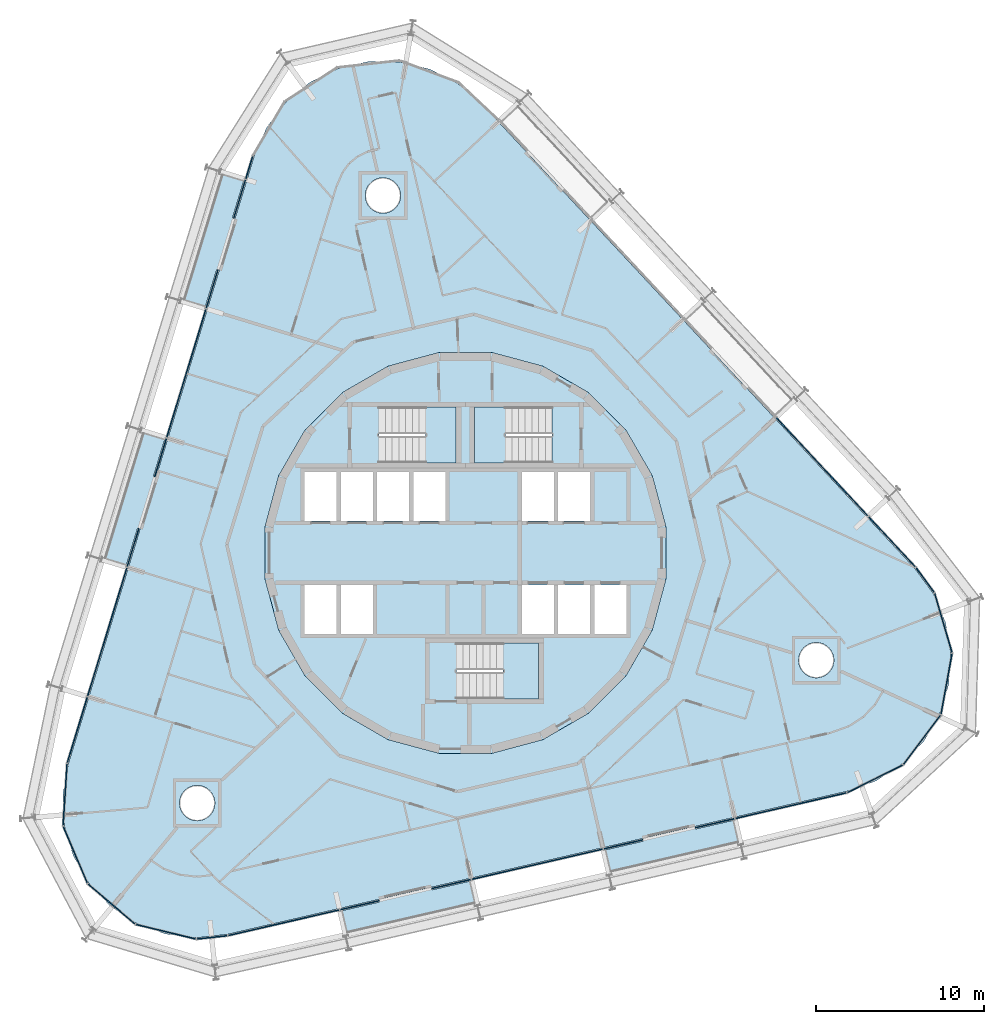
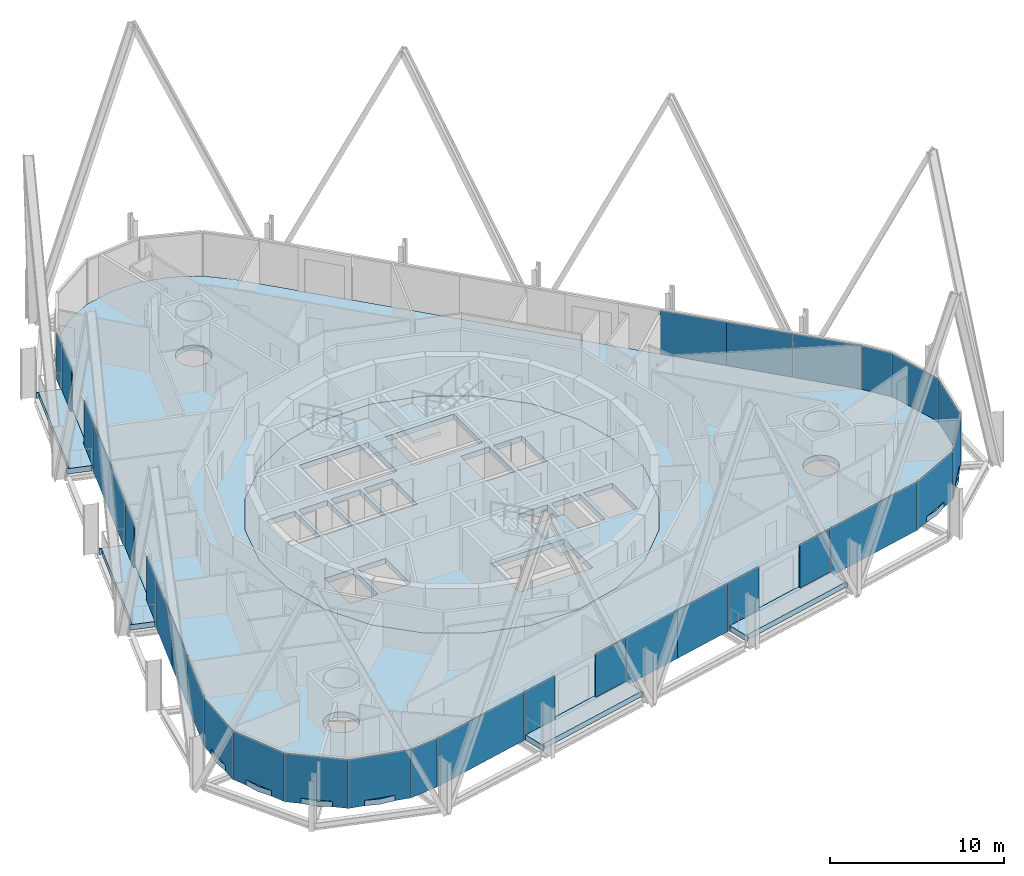
# One storey, part 10 of 18: 31 plates, 9 slabs, 9 elements without a shape of their own.
"""IFC4 building model written with IfcOpenShell, lengths in metres."""

from ifc_helpers import new_model, si_unit, direction, frame, origin, origin_2d, place, context, subcontext, project, spatial, polyline, rectangle, outline, extrude, material, layer, layer_set, type_object, element, aggregate, save


model = new_model("IFC4")

# Units and contexts
model_context = context("Model", 3, precision=1e-05, world=origin(), true_north=direction((0.0, 1.0)))
body_context = subcontext(model_context, "Body", "Model", "MODEL_VIEW")
ifc_project = project(units=[si_unit("LENGTHUNIT", "METRE"), si_unit("AREAUNIT", "SQUARE_METRE"), si_unit("VOLUMEUNIT", "CUBIC_METRE"), si_unit("PLANEANGLEUNIT", "RADIAN"), si_unit("MASSUNIT", "GRAM", prefix="KILO")], contexts=[model_context])

# Site, building, storey
site_placement = place(None, origin())
site = spatial("IfcSite", under=ifc_project, at=site_placement, CompositionType="ELEMENT")
building_placement = place(site_placement, origin())
building = spatial("IfcBuilding", under=site, at=building_placement, Name="Spindle Arch Residences", CompositionType="ELEMENT")
storey_placement = place(building_placement, frame((0.0, 0.0, 127.39990234375)))
storey = spatial("IfcBuildingStorey", under=building, at=storey_placement, Name="L31", CompositionType="ELEMENT", Elevation=127.39990234375)

# Slabs
ifc_material_1 = material(Name="Concrete C40/50", Category="concrete")
ifc_layer_1 = layer(ifc_material_1, 0.3798828125)
ifc_layer_set_1 = layer_set([ifc_layer_1], Name="Balcony slab 380")
slab_type_1 = type_object("IfcSlabType", Name="Balcony slab 380", PredefinedType="FLOOR", material=ifc_layer_set_1)
slab_1_placement = place(storey_placement, frame((0.0, 0.0, -0.3798828125)))
element("IfcSlab", 1, at=slab_1_placement, inside=storey, type_object=slab_type_1, Name="Balcony L31 bay 1", PredefinedType="FLOOR", context=body_context, shape_type="SweptSolid", body=[
    extrude(outline(polyline([(8.60546875, -19.094482421875), (8.678466796875, -19.07763671875), (8.644775390625, -18.931396484375), (16.17578125, -17.19287109375), (16.209716796875, -17.3388671875), (16.28271484375, -17.322021484375), (15.947509765625, -15.870361328125), (13.66796875, -16.396484375), (13.6318359375, -16.24072265625), (10.513916015625, -16.96044921875), (10.5498046875, -17.116455078125), (8.270263671875, -17.642578125), (8.60546875, -19.094482421875)])), origin(), (0.0, 0.0, 1.0), 0.3798828125),
])
slab_2_placement = place(storey_placement, frame((0.0, 0.0, -0.3798828125)))
element("IfcSlab", 2, at=slab_2_placement, inside=storey, type_object=slab_type_1, Name="Balcony L31 bay 13", PredefinedType="FLOOR", context=body_context, shape_type="SweptSolid", body=[
    extrude(outline(polyline([(-14.5791015625, 22.5703125), (-14.60107421875, 22.49853515625), (-14.45751953125, 22.45458984375), (-16.71728515625, 15.063232421875), (-16.86083984375, 15.107177734375), (-16.882568359375, 15.035400390625), (-15.457763671875, 14.599609375), (-14.773681640625, 16.837158203125), (-14.620849609375, 16.790283203125), (-13.68505859375, 19.8505859375), (-13.838134765625, 19.897216796875), (-13.154052734375, 22.134521484375), (-14.5791015625, 22.5703125)])), origin(), (0.0, 0.0, 1.0), 0.3798828125),
])
slab_3_placement = place(storey_placement, frame((0.0, 0.0, -0.3798828125)))
element("IfcSlab", 3, at=slab_3_placement, inside=storey, type_object=slab_type_1, Name="Balcony L31 bay 15", PredefinedType="FLOOR", context=body_context, shape_type="SweptSolid", body=[
    extrude(outline(polyline([(-19.27392578125, 7.213623046875), (-19.2958984375, 7.141845703125), (-19.152587890625, 7.097900390625), (-21.412353515625, -0.29345703125), (-21.5556640625, -0.24951171875), (-21.57763671875, -0.3212890625), (-20.15283203125, -0.7568359375), (-19.46875, 1.48046875), (-19.315673828125, 1.43359375), (-18.380126953125, 4.493896484375), (-18.533203125, 4.54052734375), (-17.84912109375, 6.77783203125), (-19.27392578125, 7.213623046875)])), origin(), (0.0, 0.0, 1.0), 0.3798828125),
])
slab_4_placement = place(storey_placement, frame((0.0, 0.0, -0.3798828125)))
element("IfcSlab", 4, at=slab_4_placement, inside=storey, type_object=slab_type_1, Name="Balcony L31 bay 21", PredefinedType="FLOOR", context=body_context, shape_type="SweptSolid", body=[
    extrude(outline(polyline([(-7.041259765625, -22.706787109375), (-6.96826171875, -22.68994140625), (-7.001953125, -22.543701171875), (0.529052734375, -20.80517578125), (0.562744140625, -20.951171875), (0.635986328125, -20.934326171875), (0.30078125, -19.482666015625), (-1.978759765625, -20.0087890625), (-2.014892578125, -19.85302734375), (-5.1328125, -20.57275390625), (-5.096923828125, -20.728759765625), (-7.37646484375, -21.255126953125), (-7.041259765625, -22.706787109375)])), origin(), (0.0, 0.0, 1.0), 0.3798828125),
])
ifc_material_2 = material(Name="Concrete C50/60", Category="concrete")
ifc_layer_2 = layer(ifc_material_2, 0.3798828125)
ifc_layer_set_2 = layer_set([ifc_layer_2], Name="Core floor slab 380")
slab_type_2 = type_object("IfcSlabType", Name="Core floor slab 380", PredefinedType="FLOOR", material=ifc_layer_set_2)
slab_5_placement = place(storey_placement, frame((0.0, 0.0, -0.3798828125)))
element("IfcSlab", 5, at=slab_5_placement, inside=storey, type_object=slab_type_2, Name="Core floor L31", PredefinedType="FLOOR", context=body_context, shape_type="SweptSolid", body=[
    extrude(outline(polyline([(1.56640625, -11.897216796875), (4.59228515625, -11.086669921875), (7.30517578125, -9.520263671875), (9.520263671875, -7.30517578125), (11.086669921875, -4.59228515625), (11.897216796875, -1.56640625), (11.897216796875, 1.56640625), (11.086669921875, 4.59228515625), (9.520263671875, 7.30517578125), (7.30517578125, 9.520263671875), (4.59228515625, 11.086669921875), (1.56640625, 11.897216796875), (-1.56640625, 11.897216796875), (-4.59228515625, 11.086669921875), (-7.30517578125, 9.520263671875), (-9.520263671875, 7.30517578125), (-11.086669921875, 4.59228515625), (-11.897216796875, 1.56640625), (-11.897216796875, -1.56640625), (-11.086669921875, -4.59228515625), (-9.520263671875, -7.30517578125), (-7.30517578125, -9.520263671875), (-4.59228515625, -11.086669921875), (-1.56640625, -11.897216796875), (1.56640625, -11.897216796875)]), holes=[polyline([(-9.550048828125, 1.89990234375), (-7.64990234375, 1.89990234375), (-7.64990234375, 4.800048828125), (-9.550048828125, 4.800048828125), (-9.550048828125, 1.89990234375)]), polyline([(-7.39990234375, 1.89990234375), (-5.5, 1.89990234375), (-5.5, 4.800048828125), (-7.39990234375, 4.800048828125), (-7.39990234375, 1.89990234375)]), polyline([(-5.25, 1.89990234375), (-3.35009765625, 1.89990234375), (-3.35009765625, 4.800048828125), (-5.25, 4.800048828125), (-5.25, 1.89990234375)]), polyline([(-3.10009765625, 1.89990234375), (-1.199951171875, 1.89990234375), (-1.199951171875, 4.800048828125), (-3.10009765625, 4.800048828125), (-3.10009765625, 1.89990234375)]), polyline([(3.35009765625, 1.89990234375), (5.25, 1.89990234375), (5.25, 4.800048828125), (3.35009765625, 4.800048828125), (3.35009765625, 1.89990234375)]), polyline([(5.5, 1.89990234375), (7.39990234375, 1.89990234375), (7.39990234375, 4.800048828125), (5.5, 4.800048828125), (5.5, 1.89990234375)]), polyline([(-9.550048828125, -4.800048828125), (-7.64990234375, -4.800048828125), (-7.64990234375, -1.89990234375), (-9.550048828125, -1.89990234375), (-9.550048828125, -4.800048828125)]), polyline([(-7.39990234375, -4.800048828125), (-5.5, -4.800048828125), (-5.5, -1.89990234375), (-7.39990234375, -1.89990234375), (-7.39990234375, -4.800048828125)]), polyline([(3.35009765625, -4.800048828125), (5.25, -4.800048828125), (5.25, -1.89990234375), (3.35009765625, -1.89990234375), (3.35009765625, -4.800048828125)]), polyline([(5.5, -4.800048828125), (7.39990234375, -4.800048828125), (7.39990234375, -1.89990234375), (5.5, -1.89990234375), (5.5, -4.800048828125)]), polyline([(7.64990234375, -4.800048828125), (9.550048828125, -4.800048828125), (9.550048828125, -1.89990234375), (7.64990234375, -1.89990234375), (7.64990234375, -4.800048828125)]), polyline([(5.1298828125, 8.669921875), (0.550048828125, 8.669921875), (0.550048828125, 5.35009765625), (5.1298828125, 5.35009765625), (5.1298828125, 8.669921875)]), polyline([(-5.1298828125, 5.35009765625), (-0.550048828125, 5.35009765625), (-0.550048828125, 8.669921875), (-5.1298828125, 8.669921875), (-5.1298828125, 5.35009765625)]), polyline([(-0.530029296875, -8.669921875), (4.35009765625, -8.669921875), (4.35009765625, -5.35009765625), (-0.530029296875, -5.35009765625), (-0.530029296875, -8.669921875)])]), origin(), (0.0, 0.0, 1.0), 0.3798828125),
])

# Stair, slab
ifc_material_3 = material(Name="Concrete C50/60", Category="concrete")
stair_type = type_object("IfcStairType", Name="Exit stair 16 risers", PredefinedType="HALF_TURN_STAIR", material=ifc_material_3)
stair_1_placement = place(storey_placement, origin())
stair_1 = element("IfcStair", 6, at=stair_1_placement, inside=storey, type_object=stair_type, Name="L31 Exit stair ST1", PredefinedType="HALF_TURN_STAIR")
ifc_material_4 = material(Name="Concrete C50/60", Category="concrete")
ifc_layer_3 = layer(ifc_material_4, 0.219970703125)
ifc_layer_set_3 = layer_set([ifc_layer_3], Name="Exit stair landing 220")
slab_type_3 = type_object("IfcSlabType", Name="Exit stair landing 220", PredefinedType="LANDING", material=ifc_layer_set_3)
slab_6_placement = place(storey_placement, frame((0.0, 0.0, 1.530029296875)))
slab_6 = element("IfcSlab", 7, at=slab_6_placement, type_object=slab_type_3, Name="ST1 landing 1", PredefinedType="LANDING", context=body_context, shape_type="SweptSolid", body=[
    extrude(outline(polyline([(2.3701171875, 8.669921875), (0.550048828125, 8.669921875), (0.550048828125, 5.35009765625), (2.3701171875, 5.35009765625), (2.3701171875, 8.669921875)])), origin(), (0.0, 0.0, 1.0), 0.219970703125),
])
aggregate(stair_1, [slab_6])

stair_2_placement = place(storey_placement, origin())
stair_2 = element("IfcStair", 8, at=stair_2_placement, inside=storey, type_object=stair_type, Name="L31 Exit stair ST2", PredefinedType="HALF_TURN_STAIR")
slab_7_placement = place(storey_placement, frame((0.0, 0.0, 1.530029296875)))
slab_7 = element("IfcSlab", 9, at=slab_7_placement, type_object=slab_type_3, Name="ST2 landing 1", PredefinedType="LANDING", context=body_context, shape_type="SweptSolid", body=[
    extrude(outline(polyline([(-2.3701171875, 5.35009765625), (-0.550048828125, 5.35009765625), (-0.550048828125, 8.669921875), (-2.3701171875, 8.669921875), (-2.3701171875, 5.35009765625)])), origin(), (0.0, 0.0, 1.0), 0.219970703125),
])
aggregate(stair_2, [slab_7])

stair_3_placement = place(storey_placement, origin())
stair_3 = element("IfcStair", 10, at=stair_3_placement, inside=storey, type_object=stair_type, Name="L31 Exit stair ST3", PredefinedType="HALF_TURN_STAIR")
slab_8_placement = place(storey_placement, frame((0.0, 0.0, 1.530029296875)))
slab_8 = element("IfcSlab", 11, at=slab_8_placement, type_object=slab_type_3, Name="ST3 landing 1", PredefinedType="LANDING", context=body_context, shape_type="SweptSolid", body=[
    extrude(outline(polyline([(2.22998046875, -8.669921875), (4.35009765625, -8.669921875), (4.35009765625, -5.35009765625), (2.22998046875, -5.35009765625), (2.22998046875, -8.669921875)])), origin(), (0.0, 0.0, 1.0), 0.219970703125),
])
aggregate(stair_3, [slab_8])

# Slab
ifc_material_5 = material(Name="Concrete C40/50", Category="concrete")
ifc_layer_4 = layer(ifc_material_5, 0.3798828125)
ifc_layer_set_4 = layer_set([ifc_layer_4], Name="Floor slab 380")
slab_type_4 = type_object("IfcSlabType", Name="Floor slab 380", PredefinedType="FLOOR", material=ifc_layer_set_4)
slab_9_placement = place(storey_placement, frame((0.0, 0.0, -0.3798828125)))
element("IfcSlab", 12, at=slab_9_placement, inside=storey, type_object=slab_type_4, Name="Floor slab L31", PredefinedType="FLOOR", context=body_context, shape_type="SweptSolid", body=[
    extrude(outline(polyline([(-15.976806640625, -22.85498046875), (-17.8203125, -22.628662109375), (-19.56201171875, -21.983154296875), (-21.108154296875, -20.95361328125), (-22.375, -19.594970703125), (-23.294189453125, -17.98095703125), (-23.816650390625, -16.198486328125), (-23.913818359375, -14.343505859375), (-23.58056640625, -12.51611328125), (-12.55029296875, 23.5625), (-11.8046875, 25.263916015625), (-10.686767578125, 26.747314453125), (-9.257080078125, 27.932861328125), (-7.59228515625, 28.7568359375), (-5.7822265625, 29.1748046875), (-3.9248046875, 29.163818359375), (-2.1201171875, 28.72509765625), (-0.465087890625, 27.881591796875), (0.950927734375, 26.679443359375), (26.680908203125, -0.912353515625), (27.781494140625, -2.40869140625), (28.507080078125, -4.11865234375), (28.819091796875, -5.94970703125), (28.7001953125, -7.803466796875), (28.1572265625, -9.57958984375), (27.218994140625, -11.182861328125), (25.9365234375, -12.526611328125), (24.37890625, -13.5380859375), (22.629638671875, -14.163330078125), (4.24951171875, -18.40673828125), (-14.130615234375, -22.650146484375), (-15.976806640625, -22.85498046875)]), holes=[polyline([(7.30517578125, -9.520263671875), (9.520263671875, -7.30517578125), (11.086669921875, -4.59228515625), (11.897216796875, -1.56640625), (11.897216796875, 1.56640625), (11.086669921875, 4.59228515625), (9.520263671875, 7.30517578125), (7.30517578125, 9.520263671875), (4.59228515625, 11.086669921875), (1.56640625, 11.897216796875), (-1.56640625, 11.897216796875), (-4.59228515625, 11.086669921875), (-7.30517578125, 9.520263671875), (-9.520263671875, 7.30517578125), (-11.086669921875, 4.59228515625), (-11.897216796875, 1.56640625), (-11.897216796875, -1.56640625), (-11.086669921875, -4.59228515625), (-9.520263671875, -7.30517578125), (-7.30517578125, -9.520263671875), (-4.59228515625, -11.086669921875), (-1.56640625, -11.897216796875), (1.56640625, -11.897216796875), (4.59228515625, -11.086669921875), (7.30517578125, -9.520263671875)]), polyline([(-15.187744140625, -15.59765625), (-15.05712890625, -15.4384765625), (-14.960205078125, -15.257080078125), (-14.900390625, -15.06005859375), (-14.880126953125, -14.855224609375), (-14.900390625, -14.650390625), (-14.960205078125, -14.453369140625), (-15.05712890625, -14.27197265625), (-15.187744140625, -14.11279296875), (-15.346923828125, -13.982177734375), (-15.5283203125, -13.885009765625), (-15.725341796875, -13.825439453125), (-15.93017578125, -13.80517578125), (-16.135009765625, -13.825439453125), (-16.33203125, -13.885009765625), (-16.513427734375, -13.982177734375), (-16.672607421875, -14.11279296875), (-16.80322265625, -14.27197265625), (-16.900390625, -14.453369140625), (-16.9599609375, -14.650390625), (-16.980224609375, -14.855224609375), (-16.9599609375, -15.06005859375), (-16.900390625, -15.257080078125), (-16.80322265625, -15.4384765625), (-16.672607421875, -15.59765625), (-16.513427734375, -15.728271484375), (-16.33203125, -15.8251953125), (-16.135009765625, -15.885009765625), (-15.93017578125, -15.9052734375), (-15.725341796875, -15.885009765625), (-15.5283203125, -15.8251953125), (-15.346923828125, -15.728271484375), (-15.187744140625, -15.59765625)]), polyline([(-4.02685546875, 20.64013671875), (-3.9296875, 20.82177734375), (-3.8701171875, 21.018798828125), (-3.849853515625, 21.223388671875), (-3.8701171875, 21.42822265625), (-3.9296875, 21.625244140625), (-4.02685546875, 21.806884765625), (-4.1572265625, 21.966064453125), (-4.31640625, 22.096435546875), (-4.498046875, 22.193603515625), (-4.695068359375, 22.25341796875), (-4.89990234375, 22.2734375), (-5.1044921875, 22.25341796875), (-5.301513671875, 22.193603515625), (-5.483154296875, 22.096435546875), (-5.642333984375, 21.966064453125), (-5.772705078125, 21.806884765625), (-5.869873046875, 21.625244140625), (-5.9296875, 21.42822265625), (-5.94970703125, 21.223388671875), (-5.9296875, 21.018798828125), (-5.869873046875, 20.82177734375), (-5.772705078125, 20.64013671875), (-5.642333984375, 20.48095703125), (-5.483154296875, 20.3505859375), (-5.301513671875, 20.25341796875), (-5.1044921875, 20.193603515625), (-4.89990234375, 20.173583984375), (-4.695068359375, 20.193603515625), (-4.498046875, 20.25341796875), (-4.31640625, 20.3505859375), (-4.1572265625, 20.48095703125), (-4.02685546875, 20.64013671875)]), polyline([(21.702880859375, -6.95166015625), (21.800048828125, -6.770263671875), (21.85986328125, -6.5732421875), (21.8798828125, -6.368408203125), (21.85986328125, -6.16357421875), (21.800048828125, -5.966552734375), (21.702880859375, -5.78515625), (21.572509765625, -5.6259765625), (21.413330078125, -5.495361328125), (21.231689453125, -5.398193359375), (21.034912109375, -5.338623046875), (20.830078125, -5.318359375), (20.625244140625, -5.338623046875), (20.42822265625, -5.398193359375), (20.24658203125, -5.495361328125), (20.08740234375, -5.6259765625), (19.95703125, -5.78515625), (19.85986328125, -5.966552734375), (19.80029296875, -6.16357421875), (19.780029296875, -6.368408203125), (19.80029296875, -6.5732421875), (19.85986328125, -6.770263671875), (19.95703125, -6.95166015625), (20.08740234375, -7.11083984375), (20.24658203125, -7.241455078125), (20.42822265625, -7.33837890625), (20.625244140625, -7.398193359375), (20.830078125, -7.41845703125), (21.034912109375, -7.398193359375), (21.231689453125, -7.33837890625), (21.413330078125, -7.241455078125), (21.572509765625, -7.11083984375), (21.702880859375, -6.95166015625)])]), origin(), (0.0, 0.0, 1.0), 0.3798828125),
])

# Curtain wall, plates
ifc_material_6 = material(Name="Aluminium bronze unitised frame with tinted glass", Category="aluminium")
ifc_layer_5 = layer(ifc_material_6, 0.159912109375)
ifc_layer_set_5 = layer_set([ifc_layer_5], Name="CW-D corner wall on the fillet arcs")
curtain_wall_type_1 = type_object("IfcCurtainWallType", Name="CW-D corner wall on the fillet arcs", PredefinedType="NOTDEFINED", material=ifc_layer_set_5)
curtain_wall_1_placement = place(storey_placement, origin())
curtain_wall_1 = element("IfcCurtainWall", 13, at=curtain_wall_1_placement, inside=storey, type_object=curtain_wall_type_1, Name="CW-D L31 run 1", PredefinedType="NOTDEFINED")
ifc_material_7 = material(Name="Tinted double glazing over aluminium faced non-combustible spandrel zone (K0)", Category="aluminium")
ifc_layer_6 = layer(ifc_material_7, 0.06005859375)
ifc_layer_set_6 = layer_set([ifc_layer_6], Name="Unitised glass panel with E 60 spandrel zone")
plate_type = type_object("IfcPlateType", Name="Unitised glass panel with E 60 spandrel zone", PredefinedType="CURTAIN_PANEL", material=ifc_layer_set_6)
plate_1_placement = place(storey_placement, frame((19.3251953125, -15.00830078125, -0.3798828125), z_axis=(0.0, 0.0, 1.0), x_axis=(0.974370064785, 0.224951054344, 0.0)))
plate_1 = element("IfcPlate", 14, at=plate_1_placement, type_object=plate_type, Name="CW-D unit 00", PredefinedType="CURTAIN_PANEL", context=body_context, shape_type="SweptSolid", body=[
    extrude(rectangle(XDim=6.759765625, YDim=0.06005859375, at=origin_2d()), origin(), (0.0, 0.0, 1.0), 3.3798828125),
])
plate_2_placement = place(storey_placement, frame((24.317626953125, -13.414794921875, -0.3798828125), z_axis=(0.0, 0.0, 1.0), x_axis=(0.896228507614, 0.443592675931, 0.0)))
plate_2 = element("IfcPlate", 15, at=plate_2_placement, type_object=plate_type, Name="CW-D unit 01", PredefinedType="CURTAIN_PANEL", context=body_context, shape_type="SweptSolid", body=[
    extrude(rectangle(XDim=3.666748046875, YDim=0.06005859375, at=origin_2d()), origin(), (0.0, 0.0, 1.0), 3.3798828125),
])
plate_3_placement = place(storey_placement, frame((27.109130859375, -11.099853515625, -0.3798828125), z_axis=(0.0, 0.0, 1.0), x_axis=(0.601815021814, 0.798635511056, 0.0)))
plate_3 = element("IfcPlate", 16, at=plate_3_placement, type_object=plate_type, Name="CW-D unit 02", PredefinedType="CURTAIN_PANEL", context=body_context, shape_type="SweptSolid", body=[
    extrude(rectangle(XDim=3.666748046875, YDim=0.06005859375, at=origin_2d()), origin(), (0.0, 0.0, 1.0), 3.3798828125),
])
plate_4_placement = place(storey_placement, frame((28.564697265625, -7.778564453125, -0.3798828125), z_axis=(0.0, 0.0, 1.0), x_axis=(0.17937458782, 0.983780848179, 0.0)))
plate_4 = element("IfcPlate", 17, at=plate_4_placement, type_object=plate_type, Name="CW-D unit 03", PredefinedType="CURTAIN_PANEL", context=body_context, shape_type="SweptSolid", body=[
    extrude(rectangle(XDim=3.666748046875, YDim=0.06005859375, at=origin_2d()), origin(), (0.0, 0.0, 1.0), 3.3798828125),
])
plate_5_placement = place(storey_placement, frame((28.375, -4.1572265625, -0.3798828125), z_axis=(0.0, 0.0, 1.0), x_axis=(-0.281225052549, 0.959641844554, 0.0)))
plate_5 = element("IfcPlate", 18, at=plate_5_placement, type_object=plate_type, Name="CW-D unit 04", PredefinedType="CURTAIN_PANEL", context=body_context, shape_type="SweptSolid", body=[
    extrude(rectangle(XDim=3.666748046875, YDim=0.06005859375, at=origin_2d()), origin(), (0.0, 0.0, 1.0), 3.3798828125),
])
plate_6_placement = place(storey_placement, frame((27.295166015625, -1.613525390625, -0.3798828125), z_axis=(0.0, 0.0, 1.0), x_axis=(-0.592481951039, 0.805583724819, 0.0)))
plate_6 = element("IfcPlate", 19, at=plate_6_placement, type_object=plate_type, Name="CW-D unit 05", PredefinedType="CURTAIN_PANEL", context=body_context, shape_type="SweptSolid", body=[
    extrude(rectangle(XDim=1.816162109375, YDim=0.06005859375, at=origin_2d()), origin(), (0.0, 0.0, 1.0), 3.3798828125),
])
plate_7_placement = place(storey_placement, frame((25.326416015625, 0.6572265625, -0.3798828125), z_axis=(0.0, 0.0, 1.0), x_axis=(-0.681998360062, 0.731353701619, 0.0)))
plate_7 = element("IfcPlate", 20, at=plate_7_placement, type_object=plate_type, Name="CW-D unit 06", PredefinedType="CURTAIN_PANEL", context=body_context, shape_type="SweptSolid", body=[
    extrude(rectangle(XDim=4.08349609375, YDim=0.06005859375, at=origin_2d()), origin(), (0.0, 0.0, 1.0), 3.3798828125),
])
aggregate(curtain_wall_1, [plate_1, plate_2, plate_3, plate_4, plate_5, plate_6, plate_7])

ifc_material_8 = material(Name="Aluminium bronze unitised frame with tinted glass", Category="aluminium")
ifc_layer_7 = layer(ifc_material_8, 0.159912109375)
ifc_layer_set_7 = layer_set([ifc_layer_7], Name="CW-C typical residential unitised wall")
curtain_wall_type_2 = type_object("IfcCurtainWallType", Name="CW-C typical residential unitised wall", PredefinedType="NOTDEFINED", material=ifc_layer_set_7)
curtain_wall_2_placement = place(storey_placement, origin())
curtain_wall_2 = element("IfcCurtainWall", 21, at=curtain_wall_2_placement, inside=storey, type_object=curtain_wall_type_2, Name="CW-C L31 run 2", PredefinedType="NOTDEFINED")
plate_8_placement = place(storey_placement, frame((22.534423828125, 3.651611328125, -0.3798828125), z_axis=(0.0, 0.0, 1.0), x_axis=(-0.681998360062, 0.731353701619, 0.0)))
plate_8 = element("IfcPlate", 22, at=plate_8_placement, type_object=plate_type, Name="CW-C unit 05A", PredefinedType="CURTAIN_PANEL", context=body_context, shape_type="SweptSolid", body=[
    extrude(rectangle(XDim=3.984619140625, YDim=0.06005859375, at=origin_2d()), origin(), (0.0, 0.0, 1.0), 3.3798828125),
])
plate_9_placement = place(storey_placement, frame((19.81689453125, 6.565673828125, -0.3798828125), z_axis=(0.0, 0.0, 1.0), x_axis=(-0.681998360062, 0.731353701619, 0.0)))
plate_9 = element("IfcPlate", 23, at=plate_9_placement, type_object=plate_type, Name="CW-C unit 05B", PredefinedType="CURTAIN_PANEL", context=body_context, shape_type="SweptSolid", body=[
    extrude(rectangle(XDim=3.984619140625, YDim=0.06005859375, at=origin_2d()), origin(), (0.0, 0.0, 1.0), 3.3798828125),
])
aggregate(curtain_wall_2, [plate_8, plate_9])

# Curtain wall, plate
curtain_wall_3_placement = place(storey_placement, origin())
curtain_wall_3 = element("IfcCurtainWall", 24, at=curtain_wall_3_placement, inside=storey, type_object=curtain_wall_type_1, Name="CW-D L31 run 3", PredefinedType="NOTDEFINED")
plate_10_placement = place(storey_placement, frame((-12.84130859375, 22.884521484375, -0.3798828125), z_axis=(0.0, 0.0, 1.0), x_axis=(-0.292371704723, -0.956304755963, 0.0)))
plate_10 = element("IfcPlate", 25, at=plate_10_placement, type_object=plate_type, Name="CW-D unit 05", PredefinedType="CURTAIN_PANEL", context=body_context, shape_type="SweptSolid", body=[
    extrude(rectangle(XDim=1.406982421875, YDim=0.06005859375, at=origin_2d()), origin(), (0.0, 0.0, 1.0), 3.3798828125),
])
aggregate(curtain_wall_3, [plate_10])

# Curtain wall, plates
curtain_wall_4_placement = place(storey_placement, origin())
curtain_wall_4 = element("IfcCurtainWall", 26, at=curtain_wall_4_placement, inside=storey, type_object=curtain_wall_type_2, Name="CW-C L31 run 4", PredefinedType="NOTDEFINED")
plate_11_placement = place(storey_placement, frame((-13.4130859375, 21.01416015625, -0.3798828125), z_axis=(0.0, 0.0, 1.0), x_axis=(-0.292371704723, -0.956304755963, 0.0)))
plate_11 = element("IfcPlate", 27, at=plate_11_placement, type_object=plate_type, Name="CW-C unit 12L", PredefinedType="CURTAIN_PANEL", context=body_context, shape_type="SweptSolid", body=[
    extrude(rectangle(XDim=2.384521484375, YDim=0.06005859375, at=origin_2d()), origin(), (0.0, 0.0, 1.0), 3.3798828125),
])
plate_12_placement = place(storey_placement, frame((-15.0458984375, 15.673583984375, -0.3798828125), z_axis=(0.0, 0.0, 1.0), x_axis=(-0.292371704723, -0.956304755963, 0.0)))
plate_12 = element("IfcPlate", 28, at=plate_12_placement, type_object=plate_type, Name="CW-C unit 12R", PredefinedType="CURTAIN_PANEL", context=body_context, shape_type="SweptSolid", body=[
    extrude(rectangle(XDim=2.384521484375, YDim=0.06005859375, at=origin_2d()), origin(), (0.0, 0.0, 1.0), 3.3798828125),
])
plate_13_placement = place(storey_placement, frame((-15.994384765625, 12.57080078125, -0.3798828125), z_axis=(0.0, 0.0, 1.0), x_axis=(-0.292371704723, -0.956304755963, 0.0)))
plate_13 = element("IfcPlate", 29, at=plate_13_placement, type_object=plate_type, Name="CW-C unit 13A", PredefinedType="CURTAIN_PANEL", context=body_context, shape_type="SweptSolid", body=[
    extrude(rectangle(XDim=3.984619140625, YDim=0.06005859375, at=origin_2d()), origin(), (0.0, 0.0, 1.0), 3.3798828125),
])
plate_14_placement = place(storey_placement, frame((-17.159423828125, 8.76025390625, -0.3798828125), z_axis=(0.0, 0.0, 1.0), x_axis=(-0.292371704723, -0.956304755963, 0.0)))
plate_14 = element("IfcPlate", 30, at=plate_14_placement, type_object=plate_type, Name="CW-C unit 13B", PredefinedType="CURTAIN_PANEL", context=body_context, shape_type="SweptSolid", body=[
    extrude(rectangle(XDim=3.984619140625, YDim=0.06005859375, at=origin_2d()), origin(), (0.0, 0.0, 1.0), 3.3798828125),
])
plate_15_placement = place(storey_placement, frame((-18.108154296875, 5.657470703125, -0.3798828125), z_axis=(0.0, 0.0, 1.0), x_axis=(-0.292371704723, -0.956304755963, 0.0)))
plate_15 = element("IfcPlate", 31, at=plate_15_placement, type_object=plate_type, Name="CW-C unit 14L", PredefinedType="CURTAIN_PANEL", context=body_context, shape_type="SweptSolid", body=[
    extrude(rectangle(XDim=2.384521484375, YDim=0.06005859375, at=origin_2d()), origin(), (0.0, 0.0, 1.0), 3.3798828125),
])
plate_16_placement = place(storey_placement, frame((-19.740966796875, 0.31689453125, -0.3798828125), z_axis=(0.0, 0.0, 1.0), x_axis=(-0.292371704723, -0.956304755963, 0.0)))
plate_16 = element("IfcPlate", 32, at=plate_16_placement, type_object=plate_type, Name="CW-C unit 14R", PredefinedType="CURTAIN_PANEL", context=body_context, shape_type="SweptSolid", body=[
    extrude(rectangle(XDim=2.384521484375, YDim=0.06005859375, at=origin_2d()), origin(), (0.0, 0.0, 1.0), 3.3798828125),
])
plate_17_placement = place(storey_placement, frame((-20.689453125, -2.785888671875, -0.3798828125), z_axis=(0.0, 0.0, 1.0), x_axis=(-0.292371704723, -0.956304755963, 0.0)))
plate_17 = element("IfcPlate", 33, at=plate_17_placement, type_object=plate_type, Name="CW-C unit 15A", PredefinedType="CURTAIN_PANEL", context=body_context, shape_type="SweptSolid", body=[
    extrude(rectangle(XDim=3.984619140625, YDim=0.06005859375, at=origin_2d()), origin(), (0.0, 0.0, 1.0), 3.3798828125),
])
plate_18_placement = place(storey_placement, frame((-21.8544921875, -6.596435546875, -0.3798828125), z_axis=(0.0, 0.0, 1.0), x_axis=(-0.292371704723, -0.956304755963, 0.0)))
plate_18 = element("IfcPlate", 34, at=plate_18_placement, type_object=plate_type, Name="CW-C unit 15B", PredefinedType="CURTAIN_PANEL", context=body_context, shape_type="SweptSolid", body=[
    extrude(rectangle(XDim=3.984619140625, YDim=0.06005859375, at=origin_2d()), origin(), (0.0, 0.0, 1.0), 3.3798828125),
])
aggregate(curtain_wall_4, [plate_11, plate_12, plate_13, plate_14, plate_15, plate_16, plate_17, plate_18])

curtain_wall_5_placement = place(storey_placement, origin())
curtain_wall_5 = element("IfcCurtainWall", 35, at=curtain_wall_5_placement, inside=storey, type_object=curtain_wall_type_1, Name="CW-D L31 run 5", PredefinedType="NOTDEFINED")
plate_19_placement = place(storey_placement, frame((-23.051513671875, -10.511474609375, -0.3798828125), z_axis=(0.0, 0.0, 1.0), x_axis=(-0.292371704723, -0.956304755963, 0.0)))
plate_19 = element("IfcPlate", 36, at=plate_19_placement, type_object=plate_type, Name="CW-D unit 00", PredefinedType="CURTAIN_PANEL", context=body_context, shape_type="SweptSolid", body=[
    extrude(rectangle(XDim=4.08349609375, YDim=0.06005859375, at=origin_2d()), origin(), (0.0, 0.0, 1.0), 3.3798828125),
])
plate_20_placement = place(storey_placement, frame((-23.7763671875, -14.352294921875, -0.3798828125), z_axis=(0.0, 0.0, 1.0), x_axis=(-0.063951729226, -0.997952993046, 0.0)))
plate_20 = element("IfcPlate", 37, at=plate_20_placement, type_object=plate_type, Name="CW-D unit 01", PredefinedType="CURTAIN_PANEL", context=body_context, shape_type="SweptSolid", body=[
    extrude(rectangle(XDim=3.666748046875, YDim=0.06005859375, at=origin_2d()), origin(), (0.0, 0.0, 1.0), 3.3798828125),
])
plate_21_placement = place(storey_placement, frame((-23.16748046875, -17.92724609375, -0.3798828125), z_axis=(0.0, 0.0, 1.0), x_axis=(0.390731127124, -0.920504854032, 0.0)))
plate_21 = element("IfcPlate", 38, at=plate_21_placement, type_object=plate_type, Name="CW-D unit 02", PredefinedType="CURTAIN_PANEL", context=body_context, shape_type="SweptSolid", body=[
    extrude(rectangle(XDim=3.666748046875, YDim=0.06005859375, at=origin_2d()), origin(), (0.0, 0.0, 1.0), 3.3798828125),
])
plate_22_placement = place(storey_placement, frame((-21.018798828125, -20.848388671875, -0.3798828125), z_axis=(0.0, 0.0, 1.0), x_axis=(0.762291912042, -0.647233374321, 0.0)))
plate_22 = element("IfcPlate", 39, at=plate_22_placement, type_object=plate_type, Name="CW-D unit 03", PredefinedType="CURTAIN_PANEL", context=body_context, shape_type="SweptSolid", body=[
    extrude(rectangle(XDim=3.666748046875, YDim=0.06005859375, at=origin_2d()), origin(), (0.0, 0.0, 1.0), 3.3798828125),
])
plate_23_placement = place(storey_placement, frame((-17.787841796875, -22.49462890625, -0.3798828125), z_axis=(0.0, 0.0, 1.0), x_axis=(0.971686742139, -0.23627288281, 0.0)))
plate_23 = element("IfcPlate", 40, at=plate_23_placement, type_object=plate_type, Name="CW-D unit 04", PredefinedType="CURTAIN_PANEL", context=body_context, shape_type="SweptSolid", body=[
    extrude(rectangle(XDim=3.666748046875, YDim=0.06005859375, at=origin_2d()), origin(), (0.0, 0.0, 1.0), 3.3798828125),
])
plate_24_placement = place(storey_placement, frame((-15.044921875, -22.83154296875, -0.3798828125), z_axis=(0.0, 0.0, 1.0), x_axis=(0.993896946542, 0.110312554381, 0.0)))
plate_24 = element("IfcPlate", 41, at=plate_24_placement, type_object=plate_type, Name="CW-D unit 05", PredefinedType="CURTAIN_PANEL", context=body_context, shape_type="SweptSolid", body=[
    extrude(rectangle(XDim=1.816162109375, YDim=0.06005859375, at=origin_2d()), origin(), (0.0, 0.0, 1.0), 3.3798828125),
])
plate_25_placement = place(storey_placement, frame((-10.7900390625, -21.9609375, -0.3798828125), z_axis=(0.0, 0.0, 1.0), x_axis=(0.974370064785, 0.224951054344, 0.0)))
plate_25 = element("IfcPlate", 42, at=plate_25_placement, type_object=plate_type, Name="CW-D unit 06", PredefinedType="CURTAIN_PANEL", context=body_context, shape_type="SweptSolid", body=[
    extrude(rectangle(XDim=6.759765625, YDim=0.06005859375, at=origin_2d()), origin(), (0.0, 0.0, 1.0), 3.3798828125),
])
aggregate(curtain_wall_5, [plate_19, plate_20, plate_21, plate_22, plate_23, plate_24, plate_25])

curtain_wall_6_placement = place(storey_placement, origin())
curtain_wall_6 = element("IfcCurtainWall", 43, at=curtain_wall_6_placement, inside=storey, type_object=curtain_wall_type_2, Name="CW-C L31 run 6", PredefinedType="NOTDEFINED")
plate_26_placement = place(storey_placement, frame((-6.276611328125, -20.9189453125, -0.3798828125), z_axis=(0.0, 0.0, 1.0), x_axis=(0.974370064785, 0.224951054344, 0.0)))
plate_26 = element("IfcPlate", 44, at=plate_26_placement, type_object=plate_type, Name="CW-C unit 20L", PredefinedType="CURTAIN_PANEL", context=body_context, shape_type="SweptSolid", body=[
    extrude(rectangle(XDim=2.384521484375, YDim=0.06005859375, at=origin_2d()), origin(), (0.0, 0.0, 1.0), 3.3798828125),
])
plate_27_placement = place(storey_placement, frame((-0.835205078125, -19.66259765625, -0.3798828125), z_axis=(0.0, 0.0, 1.0), x_axis=(0.974370064785, 0.224951054344, 0.0)))
plate_27 = element("IfcPlate", 45, at=plate_27_placement, type_object=plate_type, Name="CW-C unit 20R", PredefinedType="CURTAIN_PANEL", context=body_context, shape_type="SweptSolid", body=[
    extrude(rectangle(XDim=2.384521484375, YDim=0.06005859375, at=origin_2d()), origin(), (0.0, 0.0, 1.0), 3.3798828125),
])
plate_28_placement = place(storey_placement, frame((2.326416015625, -18.932861328125, -0.3798828125), z_axis=(0.0, 0.0, 1.0), x_axis=(0.974370064785, 0.224951054344, 0.0)))
plate_28 = element("IfcPlate", 46, at=plate_28_placement, type_object=plate_type, Name="CW-C unit 21A", PredefinedType="CURTAIN_PANEL", context=body_context, shape_type="SweptSolid", body=[
    extrude(rectangle(XDim=3.984619140625, YDim=0.06005859375, at=origin_2d()), origin(), (0.0, 0.0, 1.0), 3.3798828125),
])
plate_29_placement = place(storey_placement, frame((6.208740234375, -18.03662109375, -0.3798828125), z_axis=(0.0, 0.0, 1.0), x_axis=(0.974370064785, 0.224951054344, 0.0)))
plate_29 = element("IfcPlate", 47, at=plate_29_placement, type_object=plate_type, Name="CW-C unit 21B", PredefinedType="CURTAIN_PANEL", context=body_context, shape_type="SweptSolid", body=[
    extrude(rectangle(XDim=3.984619140625, YDim=0.06005859375, at=origin_2d()), origin(), (0.0, 0.0, 1.0), 3.3798828125),
])
plate_30_placement = place(storey_placement, frame((9.3701171875, -17.306640625, -0.3798828125), z_axis=(0.0, 0.0, 1.0), x_axis=(0.974370064785, 0.224951054344, 0.0)))
plate_30 = element("IfcPlate", 48, at=plate_30_placement, type_object=plate_type, Name="CW-C unit 00L", PredefinedType="CURTAIN_PANEL", context=body_context, shape_type="SweptSolid", body=[
    extrude(rectangle(XDim=2.384521484375, YDim=0.06005859375, at=origin_2d()), origin(), (0.0, 0.0, 1.0), 3.3798828125),
])
plate_31_placement = place(storey_placement, frame((14.8115234375, -16.05029296875, -0.3798828125), z_axis=(0.0, 0.0, 1.0), x_axis=(0.974370064785, 0.224951054344, 0.0)))
plate_31 = element("IfcPlate", 49, at=plate_31_placement, type_object=plate_type, Name="CW-C unit 00R", PredefinedType="CURTAIN_PANEL", context=body_context, shape_type="SweptSolid", body=[
    extrude(rectangle(XDim=2.384521484375, YDim=0.06005859375, at=origin_2d()), origin(), (0.0, 0.0, 1.0), 3.3798828125),
])
aggregate(curtain_wall_6, [plate_26, plate_27, plate_28, plate_29, plate_30, plate_31])

save(model, "model.ifc")
